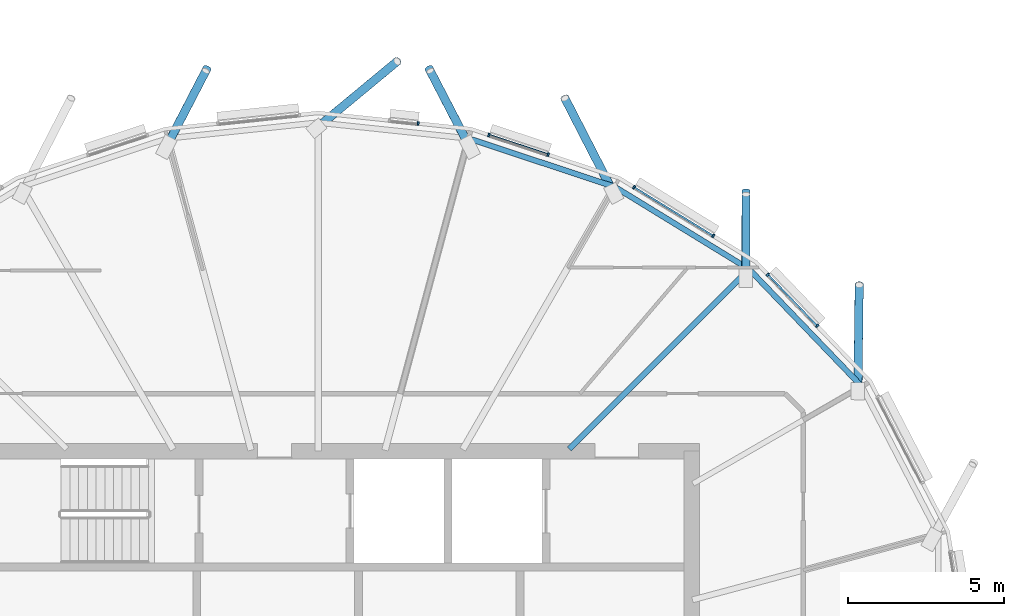
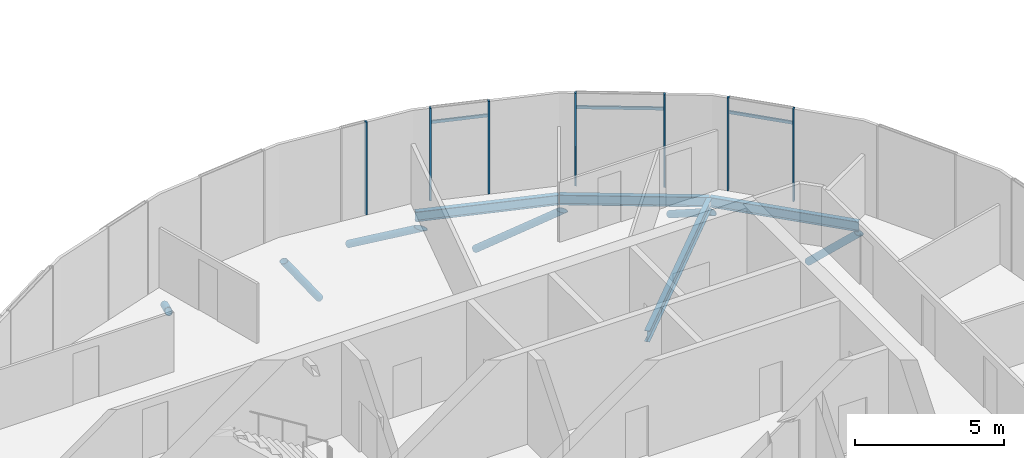
# One storey, part 8 of 38: 16 members, 4 beams, 1 element without a shape of its own.
"""IFC4 building model written with IfcOpenShell, lengths in metres."""

import ifcopenshell
import ifcopenshell.guid

model = None  # the IFC model being written
_history = None  # IfcOwnerHistory: only IFC2X3 demands one
_inside = {}  # id of a spatial element -> (the spatial element, [elements in it])
_under = {}  # id of a project, library or spatial element -> (it, [spatial elements below it])
_declared = {}  # id of a project -> (the project, [libraries it declares])
_typed = {}  # id of a type object -> (the type object, [elements of that type])
_made_of = {}  # id of a material, layer set ... -> (it, [elements and type objects made of it])


def new_model(schema):
    """Start an empty IFC model of exactly this schema.

    Asked for "IFC4X3", IfcOpenShell would pick the latest addendum, in which some entities
    have other attributes; the version numbers below select the first issue.
    IFC2X3 requires an IfcOwnerHistory on every rooted entity: one is made here for all.
    """
    global model, _history
    if schema == "IFC4X3":
        model = ifcopenshell.file(schema_version=(4, 3, 0, 0))
    else:
        model = ifcopenshell.file(schema=schema)
    _inside.clear()
    _under.clear()
    _declared.clear()
    _typed.clear()
    _made_of.clear()
    _history = None
    if model.schema == "IFC2X3":
        org = make("IfcOrganization", Name="unknown")
        user = make(
            "IfcPersonAndOrganization",
            ThePerson=make("IfcPerson", FamilyName="unknown"),
            TheOrganization=org,
        )
        app = make(
            "IfcApplication",
            ApplicationDeveloper=org,
            Version="unknown",
            ApplicationFullName="unknown",
            ApplicationIdentifier="unknown",
        )
        _history = make(
            "IfcOwnerHistory",
            OwningUser=user,
            OwningApplication=app,
            ChangeAction="ADDED",
            CreationDate=0,
        )
    return model


def make(cls, **values):
    """One entity of the class cls with the attributes given. An attribute that is None is left unset."""
    return model.create_entity(
        cls, **{name: value for name, value in values.items() if value is not None}
    )


def rooted(cls, **values):
    """An entity with a GlobalId (a new one), such as an element, a storey or a relation."""
    return make(cls, GlobalId=ifcopenshell.guid.new(), OwnerHistory=_history, **values)


def si_unit(unit_type, name, prefix=None):
    """IfcSIUnit, for example si_unit("LENGTHUNIT", "METRE", prefix="MILLI")."""
    return make("IfcSIUnit", UnitType=unit_type, Prefix=prefix, Name=name)


def assignment(units):
    """IfcUnitAssignment: the units of a project."""
    return None if units is None else make("IfcUnitAssignment", Units=units)


def point(xyz):
    """IfcCartesianPoint."""
    return None if xyz is None else make("IfcCartesianPoint", Coordinates=xyz)


def direction(xyz):
    """IfcDirection."""
    return None if xyz is None else make("IfcDirection", DirectionRatios=xyz)


def frame(location, z_axis=None, x_axis=None):
    """IfcAxis2Placement3D, a coordinate frame: its origin and axes. An axis left out is left unset."""
    return make(
        "IfcAxis2Placement3D",
        Location=point(location),
        Axis=direction(z_axis),
        RefDirection=direction(x_axis),
    )


def frame_2d(location, x_axis=None):
    """IfcAxis2Placement2D, a coordinate frame in the plane: its origin and x axis."""
    return make(
        "IfcAxis2Placement2D", Location=point(location), RefDirection=direction(x_axis)
    )


def origin():
    """The frame at (0, 0, 0) with its axes left unset."""
    return frame((0.0, 0.0, 0.0))


def origin_2d():
    """The frame at (0, 0) in the plane with its x axis left unset."""
    return frame_2d((0.0, 0.0))


def place(relative_to, where):
    """IfcLocalPlacement: puts the frame where relative to a parent placement (None: the world)."""
    return make(
        "IfcLocalPlacement", PlacementRelTo=relative_to, RelativePlacement=where
    )


def context(
    kind, dimensions, precision=None, world=None, true_north=None, identifier=None
):
    """IfcGeometricRepresentationContext, for example the 3D "Model" context."""
    return make(
        "IfcGeometricRepresentationContext",
        ContextIdentifier=identifier,
        ContextType=kind,
        CoordinateSpaceDimension=dimensions,
        Precision=precision,
        WorldCoordinateSystem=world,
        TrueNorth=true_north,
    )


def subcontext(parent, identifier, kind, view, scale=None):
    """IfcGeometricRepresentationSubContext, for example "Body" below "Model"."""
    return make(
        "IfcGeometricRepresentationSubContext",
        ContextIdentifier=identifier,
        ContextType=kind,
        ParentContext=parent,
        TargetScale=scale,
        TargetView=view,
    )


def project(units=None, contexts=None):
    """IfcProject with its units and contexts."""
    return rooted(
        "IfcProject",
        Name="project",
        RepresentationContexts=contexts,
        UnitsInContext=assignment(units),
    )


def spatial(cls, under=None, at=None, **own):
    """A site, building, storey or space (cls), placed at a placement, below another one or the project."""
    s = rooted(cls, ObjectPlacement=at, **own)
    if under is not None:
        _under.setdefault(under.id(), (under, []))[1].append(s)
    return s


def profile(cls, at=None, kind="AREA", **sizes):
    """A parametric profile (cls). Its sizes go by their IFC names, for example OverallWidth=200.0."""
    return make(cls, ProfileType=kind, Position=at, **sizes)


def rectangle(**sizes):
    """IfcRectangleProfileDef."""
    return profile("IfcRectangleProfileDef", **sizes)


def hollow_circle(**sizes):
    """IfcCircleHollowProfileDef."""
    return profile("IfcCircleHollowProfileDef", **sizes)


def i_section(**sizes):
    """IfcIShapeProfileDef."""
    return profile("IfcIShapeProfileDef", **sizes)


def extrude(swept, where, along, depth):
    """IfcExtrudedAreaSolid: the profile swept, set in the frame where, extruded along a direction by depth."""
    return make(
        "IfcExtrudedAreaSolid",
        SweptArea=swept,
        Position=where,
        ExtrudedDirection=direction(along),
        Depth=depth,
    )


def clip(a, b, op="DIFFERENCE"):
    """IfcBooleanClippingResult: the solid a cut by the half space b."""
    return make(
        "IfcBooleanClippingResult", Operator=op, FirstOperand=a, SecondOperand=b
    )


def halfspace(plane, agree):
    """IfcHalfSpaceSolid: all space on one side of the plane z = 0 of the frame plane."""
    return make(
        "IfcHalfSpaceSolid",
        BaseSurface=make("IfcPlane", Position=plane),
        AgreementFlag=agree,
    )


def shape(context_of_items, identifier, shape_type, items):
    """IfcShapeRepresentation: the items that make up one representation, for example the "Body"."""
    return make(
        "IfcShapeRepresentation",
        ContextOfItems=context_of_items,
        RepresentationIdentifier=identifier,
        RepresentationType=shape_type,
        Items=items,
    )


def material(Name=None, Category=None):
    """IfcMaterial."""
    return make("IfcMaterial", Name=Name, Category=Category)


def material_profile(
    of_material, cross_section, Name=None, Category=None, Priority=None
):
    """IfcMaterialProfile: a cross section and its material."""
    return make(
        "IfcMaterialProfile",
        Name=Name,
        Material=of_material,
        Profile=cross_section,
        Priority=Priority,
        Category=Category,
    )


def profile_set(profiles, Name=None, composite=None):
    """IfcMaterialProfileSet."""
    return make(
        "IfcMaterialProfileSet",
        Name=Name,
        MaterialProfiles=profiles,
        CompositeProfile=composite,
    )


def made_of(thing, what):
    """Note that an element or type object is made of a material, layer set ...; save() writes the relation."""
    if what is not None:
        _made_of.setdefault(what.id(), (what, []))[1].append(thing)
    return thing


def type_object(cls, material=None, **own):
    """A type object (cls), such as IfcWallType, which elements share."""
    return made_of(rooted(cls, **own), material)


def element(
    cls,
    number,
    at=None,
    inside=None,
    cuts=None,
    type_object=None,
    material=None,
    context=None,
    identifier="Body",
    shape_type=None,
    held_by="IfcProductDefinitionShape",
    body=None,
    shapes=None,
    **own,
):
    """One element of the class cls, such as IfcWall. Its Tag is "e" and its number.

    at: its placement. inside: the storey or other place that contains it. cuts: it is an
    opening in that element (IfcRelVoidsElement). A single representation is given by context,
    identifier, shape_type and body (its items); several are given by shapes. held_by: the class
    of the entity that holds the representations. save() writes the other relations.
    """
    e = rooted(cls, Tag="e%d" % number, ObjectPlacement=at, **own)
    if body is not None:
        shapes = [shape(context, identifier, shape_type, body)]
    if shapes is not None:
        e.Representation = make(held_by, Representations=shapes)
    if inside is not None:
        _inside.setdefault(inside.id(), (inside, []))[1].append(e)
    if cuts is not None:
        rooted(
            "IfcRelVoidsElement", RelatingBuildingElement=cuts, RelatedOpeningElement=e
        )
    if type_object is not None:
        _typed.setdefault(type_object.id(), (type_object, []))[1].append(e)
    return made_of(e, material)


def aggregate(whole, parts):
    """IfcRelAggregates: a whole, such as a stair, and the parts it consists of."""
    return rooted("IfcRelAggregates", RelatingObject=whole, RelatedObjects=parts)


def save(model, path):
    """Write the relations noted so far, then the file.

    IfcRelAggregates (storeys below a building ...), IfcRelContainedInSpatialStructure (elements
    in a storey), IfcRelDefinesByType, IfcRelAssociatesMaterial and IfcRelDeclares: one each for
    every whole, place, type object, material and project.
    """
    for whole, parts in _under.values():
        aggregate(whole, parts)
    for where, things in _inside.values():
        rooted(
            "IfcRelContainedInSpatialStructure",
            RelatedElements=things,
            RelatingStructure=where,
        )
    for kind, things in _typed.values():
        rooted("IfcRelDefinesByType", RelatedObjects=things, RelatingType=kind)
    for what, things in _made_of.values():
        rooted("IfcRelAssociatesMaterial", RelatedObjects=things, RelatingMaterial=what)
    for by, libraries in _declared.values():
        rooted("IfcRelDeclares", RelatingContext=by, RelatedDefinitions=libraries)
    model.write(path)


model = new_model("IFC4")

# Units and contexts
model_context = context("Model", 3, precision=1e-05, world=origin(), true_north=direction((0.0, 1.0)))
body_context = subcontext(model_context, "Body", "Model", "MODEL_VIEW")
ifc_project = project(units=[si_unit("LENGTHUNIT", "METRE"), si_unit("AREAUNIT", "SQUARE_METRE"), si_unit("VOLUMEUNIT", "CUBIC_METRE"), si_unit("PLANEANGLEUNIT", "RADIAN"), si_unit("MASSUNIT", "GRAM", prefix="KILO")], contexts=[model_context])

# Site, building, storey
site_placement = place(None, origin())
site = spatial("IfcSite", under=ifc_project, at=site_placement, CompositionType="ELEMENT")
building_placement = place(site_placement, origin())
building = spatial("IfcBuilding", under=site, at=building_placement, Name="Rimbun Link Towers", CompositionType="ELEMENT")
storey_placement = place(building_placement, frame((0.0, 0.0, 218.10009765625)))
storey = spatial("IfcBuildingStorey", under=building, at=storey_placement, Name="L53", CompositionType="ELEMENT", Elevation=218.10009765625)

# Curtain wall, members
ifc_material_1 = material(Name="Aluminium 6063-T6 and low-iron glass", Category="aluminium")
curtain_wall_type = type_object("IfcCurtainWallType", Name="CW1-Z4 unitised vision wall (zone 4)", PredefinedType="NOTDEFINED", material=ifc_material_1)
curtain_wall_placement = place(storey_placement, origin())
curtain_wall = element("IfcCurtainWall", 1, at=curtain_wall_placement, inside=storey, type_object=curtain_wall_type, Name="CW1 L53 T1", PredefinedType="NOTDEFINED")
ifc_material_2 = material(Name="Aluminium 6063-T6", Category="aluminium")
ifc_material_profile_1 = material_profile(ifc_material_2, rectangle(XDim=0.1201171875, YDim=0.06005859375, at=origin_2d()), Name="MULLION 60X120")
ifc_profile_set_1 = profile_set([ifc_material_profile_1], Name="Aluminium 6063-T6")
member_type_1 = type_object("IfcMemberType", Name="CW1 mullion 60X120", PredefinedType="MULLION", material=ifc_profile_set_1)
member_1_placement = place(storey_placement, frame((-17.299560546875, 13.6708984375, 0.0), z_axis=(0.0, 0.0, 1.0), x_axis=(0.721846446019, 0.692053255443, 0.0)))
member_1 = element("IfcMember", 2, at=member_1_placement, type_object=member_type_1, Name="CW1 mullion", PredefinedType="MULLION", context=body_context, shape_type="SweptSolid", body=[
    extrude(rectangle(XDim=0.1201171875, YDim=0.06005859375, at=origin_2d()), origin(), (0.0, 0.0, 1.0), 3.7998046875),
])
member_2_placement = place(storey_placement, frame((-15.71728515625, 12.0205078125, 0.0), z_axis=(0.0, 0.0, 1.0), x_axis=(0.721846446019, 0.692053255443, 0.0)))
member_2 = element("IfcMember", 3, at=member_2_placement, type_object=member_type_1, Name="CW1 mullion", PredefinedType="MULLION", context=body_context, shape_type="SweptSolid", body=[
    extrude(rectangle(XDim=0.1201171875, YDim=0.06005859375, at=origin_2d()), origin(), (0.0, 0.0, 1.0), 3.7998046875),
])
member_3_placement = place(storey_placement, frame((-21.60009765625, 16.47705078125, 0.0), z_axis=(0.0, 0.0, 1.0), x_axis=(0.523242195727, 0.852184020392, 0.0)))
member_3 = element("IfcMember", 4, at=member_3_placement, type_object=member_type_1, Name="CW1 mullion", PredefinedType="MULLION", context=body_context, shape_type="SweptSolid", body=[
    extrude(rectangle(XDim=0.1201171875, YDim=0.06005859375, at=origin_2d()), origin(), (0.0, 0.0, 1.0), 3.7998046875),
])
member_4_placement = place(storey_placement, frame((-19.0556640625, 14.914794921875, 0.0), z_axis=(0.0, 0.0, 1.0), x_axis=(0.523242195727, 0.852184020392, 0.0)))
member_4 = element("IfcMember", 5, at=member_4_placement, type_object=member_type_1, Name="CW1 mullion", PredefinedType="MULLION", context=body_context, shape_type="SweptSolid", body=[
    extrude(rectangle(XDim=0.1201171875, YDim=0.06005859375, at=origin_2d()), origin(), (0.0, 0.0, 1.0), 3.7998046875),
])
member_5_placement = place(storey_placement, frame((-26.261474609375, 18.156005859375, 0.0), z_axis=(0.0, 0.0, 1.0), x_axis=(0.314578449635, 0.949231478105, 0.0)))
member_5 = element("IfcMember", 6, at=member_5_placement, type_object=member_type_1, Name="CW1 mullion", PredefinedType="MULLION", context=body_context, shape_type="SweptSolid", body=[
    extrude(rectangle(XDim=0.1201171875, YDim=0.06005859375, at=origin_2d()), origin(), (0.0, 0.0, 1.0), 3.7998046875),
])
member_6_placement = place(storey_placement, frame((-24.359619140625, 17.525634765625, 0.0), z_axis=(0.0, 0.0, 1.0), x_axis=(0.314578449635, 0.949231478105, 0.0)))
member_6 = element("IfcMember", 7, at=member_6_placement, type_object=member_type_1, Name="CW1 mullion", PredefinedType="MULLION", context=body_context, shape_type="SweptSolid", body=[
    extrude(rectangle(XDim=0.1201171875, YDim=0.06005859375, at=origin_2d()), origin(), (0.0, 0.0, 1.0), 3.7998046875),
])
member_7_placement = place(storey_placement, frame((-28.5341796875, 18.525390625, 0.0), z_axis=(0.0, 0.0, 1.0), x_axis=(0.104722816932, 0.994501448774, 0.0)))
member_7 = element("IfcMember", 8, at=member_7_placement, type_object=member_type_1, Name="CW1 mullion", PredefinedType="MULLION", context=body_context, shape_type="SweptSolid", body=[
    extrude(rectangle(XDim=0.1201171875, YDim=0.06005859375, at=origin_2d()), origin(), (0.0, 0.0, 1.0), 3.7998046875),
])
ifc_material_3 = material(Name="Aluminium 6063-T6", Category="aluminium")
ifc_material_profile_2 = material_profile(ifc_material_3, rectangle(XDim=0.06005859375, YDim=0.1201171875, at=origin_2d()), Name="TRANSOM 60X120")
ifc_profile_set_2 = profile_set([ifc_material_profile_2], Name="Aluminium 6063-T6")
member_type_2 = type_object("IfcMemberType", Name="CW1 transom 60X120", PredefinedType="USERDEFINED", material=ifc_profile_set_2)
member_8_placement = place(storey_placement, frame((-17.2802734375, 13.64794921875, 3.199951171875), z_axis=(0.692036343125, -0.721862659925, 0.0), x_axis=(0.721862659925, 0.692036343125, 0.0)))
member_8 = element("IfcMember", 9, at=member_8_placement, type_object=member_type_2, Name="CW1 transom", ObjectType="TRANSOM", PredefinedType="USERDEFINED", context=body_context, shape_type="SweptSolid", body=[
    extrude(rectangle(XDim=0.06005859375, YDim=0.1201171875, at=origin_2d()), origin(), (0.0, 0.0, 1.0), 2.226318359375),
])
member_9_placement = place(storey_placement, frame((-21.57568359375, 16.459716796875, 3.199951171875), z_axis=(0.852176447693, -0.523254528883, 0.0), x_axis=(0.523254528883, 0.852176447693, 0.0)))
member_9 = element("IfcMember", 10, at=member_9_placement, type_object=member_type_2, Name="CW1 transom", ObjectType="TRANSOM", PredefinedType="USERDEFINED", context=body_context, shape_type="SweptSolid", body=[
    extrude(rectangle(XDim=0.06005859375, YDim=0.1201171875, at=origin_2d()), origin(), (0.0, 0.0, 1.0), 2.926025390625),
])
member_10_placement = place(storey_placement, frame((-26.233642578125, 18.14453125, 3.199951171875), z_axis=(0.949247034783, -0.314531503916, 0.0), x_axis=(0.314531503916, 0.949247034783, 0.0)))
member_10 = element("IfcMember", 11, at=member_10_placement, type_object=member_type_2, Name="CW1 transom", ObjectType="TRANSOM", PredefinedType="USERDEFINED", context=body_context, shape_type="SweptSolid", body=[
    extrude(rectangle(XDim=0.06005859375, YDim=0.1201171875, at=origin_2d()), origin(), (0.0, 0.0, 1.0), 1.943603515625),
])
aggregate(curtain_wall, [member_1, member_2, member_3, member_4, member_5, member_6, member_7, member_8, member_9, member_10])

# Members
ifc_material_4 = material(Name="Steel S355J2H", Category="steel")
ifc_material_profile_3 = material_profile(ifc_material_4, hollow_circle(Radius=0.136474609375, WallThickness=0.012451171875, at=origin_2d()), Name="CHS 273x12.5")
ifc_profile_set_3 = profile_set([ifc_material_profile_3], Name="Steel S355J2H")
member_type_3 = type_object("IfcMemberType", Name="Floor edge link CHS 273x12.5", PredefinedType="BRACE", material=ifc_profile_set_3)
member_11_placement = place(storey_placement, frame((-14.40966796875, 10.011474609375, -0.5947265625), z_axis=(0.009020005367, 0.725792078943, -0.687854997545), x_axis=(-0.999922783726, 0.012426849421, 0.0)))
element("IfcMember", 12, at=member_11_placement, inside=storey, type_object=member_type_3, Name="Floor edge link T1 L53 02", PredefinedType="BRACE", context=body_context, shape_type="Clipping", body=[
    clip(extrude(hollow_circle(Radius=0.136474609375, WallThickness=0.012451171875, at=origin_2d()), frame((0.0, 0.0, -0.302490234375)), (0.0, 0.0, 1.0), 4.90380859375), halfspace(frame((0.0, 0.0, -0.141845703125), z_axis=(0.0, 0.725848126231, -0.687854997545)), False)),
])
member_12_placement = place(storey_placement, frame((-18.004638671875, 13.745361328125, -0.70849609375), z_axis=(0.000394961689, 0.843085222112, -0.537779836235), x_axis=(-0.999999890267, 0.000468471793, 0.0)))
element("IfcMember", 13, at=member_12_placement, inside=storey, type_object=member_type_3, Name="Floor edge link T1 L53 03", PredefinedType="BRACE", context=body_context, shape_type="Clipping", body=[
    clip(extrude(hollow_circle(Radius=0.136474609375, WallThickness=0.012451171875, at=origin_2d()), frame((0.0, 0.0, -0.446533203125)), (0.0, 0.0, 1.0), 3.537353515625), halfspace(frame((0.0, 0.0, -0.210205078125), z_axis=(0.0, 0.843085314626, -0.537779836235)), False)),
])
member_13_placement = place(storey_placement, frame((-22.298095703125, 16.37109375, -0.7783203125), z_axis=(-0.350539374697, 0.682437802129, -0.641405326617), x_axis=(-0.889514924711, -0.456906115867, 0.0)))
element("IfcMember", 14, at=member_13_placement, inside=storey, type_object=member_type_3, Name="Floor edge link T1 L53 04", PredefinedType="BRACE", context=body_context, shape_type="Clipping", body=[
    clip(extrude(hollow_circle(Radius=0.136474609375, WallThickness=0.012451171875, at=origin_2d()), frame((0.0, 0.0, -0.342041015625)), (0.0, 0.0, 1.0), 4.703369140625), halfspace(frame((0.0, 0.0, -0.160888671875), z_axis=(0.0, 0.767202194332, -0.641405326617)), False)),
])
member_14_placement = place(storey_placement, frame((-26.95166015625, 17.907958984375, -0.7900390625), z_axis=(-0.393517633482, 0.759751791096, -0.51761094276), x_axis=(-0.88795873569, -0.459923128045, 0.0)))
element("IfcMember", 15, at=member_14_placement, inside=storey, type_object=member_type_3, Name="Floor edge link T1 L53 05", PredefinedType="BRACE", context=body_context, shape_type="Clipping", body=[
    clip(extrude(hollow_circle(Radius=0.136474609375, WallThickness=0.012451171875, at=origin_2d()), frame((0.0, 0.0, -0.470703125)), (0.0, 0.0, 1.0), 3.620361328125), halfspace(frame((0.0, 0.0, -0.221923828125), z_axis=(0.0, 0.855616100792, -0.51761094276)), False)),
])
member_15_placement = place(storey_placement, frame((-31.75, 18.412353515625, -0.765869140625), z_axis=(0.518586586905, 0.429575456317, -0.739278620827), x_axis=(-0.637920499484, 0.770102224603, 0.0)))
element("IfcMember", 16, at=member_15_placement, inside=storey, type_object=member_type_3, Name="Floor edge link T1 L53 06", PredefinedType="BRACE", context=body_context, shape_type="Clipping", body=[
    clip(extrude(hollow_circle(Radius=0.136474609375, WallThickness=0.012451171875, at=origin_2d()), frame((0.0, 0.0, -0.26220703125)), (0.0, 0.0, 1.0), 5.182861328125), halfspace(frame((0.0, 0.0, -0.12255859375), z_axis=(0.0, 0.673399673885, -0.739278620827)), False)),
])
member_16_placement = place(storey_placement, frame((-36.54833984375, 17.907958984375, -0.7900390625), z_axis=(0.393517633482, 0.759751791096, -0.51761094276), x_axis=(-0.88795873569, 0.459923128045, 0.0)))
element("IfcMember", 17, at=member_16_placement, inside=storey, type_object=member_type_3, Name="Floor edge link T1 L53 07", PredefinedType="BRACE", context=body_context, shape_type="Clipping", body=[
    clip(extrude(hollow_circle(Radius=0.136474609375, WallThickness=0.012451171875, at=origin_2d()), frame((0.0, 0.0, -0.470703125)), (0.0, 0.0, 1.0), 3.620361328125), halfspace(frame((0.0, 0.0, -0.221923828125), z_axis=(0.0, 0.855616100792, -0.51761094276)), False)),
])

# Beams
ifc_material_5 = material(Name="Steel S355J2", Category="steel")
ifc_material_profile_4 = material_profile(ifc_material_5, i_section(OverallWidth=0.177978515625, OverallDepth=0.406494140625, WebThickness=0.0078125, FlangeThickness=0.0126953125, at=origin_2d()), Name="UB 406x178x60")
ifc_profile_set_4 = profile_set([ifc_material_profile_4], Name="Steel S355J2")
beam_type_1 = type_object("IfcBeamType", Name="UB 406x178x60", PredefinedType="BEAM", material=ifc_profile_set_4)
beam_1_placement = place(storey_placement, frame((-14.297607421875, 10.091796875, -0.34326171875), z_axis=(-0.69303073453, 0.720908039209, 0.0), x_axis=(-0.720908039209, -0.69303073453, 0.0)))
element("IfcBeam", 18, at=beam_1_placement, inside=storey, type_object=beam_type_1, Name="Edge beam T1 L53 02", PredefinedType="BEAM", context=body_context, shape_type="SweptSolid", body=[
    extrude(i_section(OverallWidth=0.177978515625, OverallDepth=0.406494140625, WebThickness=0.0078125, FlangeThickness=0.0126953125, at=origin_2d()), origin(), (0.0, 0.0, 1.0), 5.193359375),
])
beam_2_placement = place(storey_placement, frame((-17.916015625, 13.85107421875, -0.34326171875), z_axis=(-0.852713194974, 0.522379370876, 0.0), x_axis=(-0.522379370876, -0.852713194974, 0.0)))
element("IfcBeam", 19, at=beam_2_placement, inside=storey, type_object=beam_type_1, Name="Edge beam T1 L53 03", PredefinedType="BEAM", context=body_context, shape_type="SweptSolid", body=[
    extrude(i_section(OverallWidth=0.177978515625, OverallDepth=0.406494140625, WebThickness=0.0078125, FlangeThickness=0.0126953125, at=origin_2d()), origin(), (0.0, 0.0, 1.0), 5.045654296875),
])
beam_3_placement = place(storey_placement, frame((-22.23876953125, 16.49609375, -0.34326171875), z_axis=(-0.94940105913, 0.314066281097, 0.0), x_axis=(-0.314066281097, -0.94940105913, 0.0)))
element("IfcBeam", 20, at=beam_3_placement, inside=storey, type_object=beam_type_1, Name="Edge beam T1 L53 04", PredefinedType="BEAM", context=body_context, shape_type="SweptSolid", body=[
    extrude(i_section(OverallWidth=0.177978515625, OverallDepth=0.406494140625, WebThickness=0.0078125, FlangeThickness=0.0126953125, at=origin_2d()), origin(), (0.0, 0.0, 1.0), 4.915283203125),
])
ifc_material_6 = material(Name="Steel S355J2", Category="steel")
ifc_material_profile_5 = material_profile(ifc_material_6, i_section(OverallWidth=0.18994140625, OverallDepth=0.453369140625, WebThickness=0.008544921875, FlangeThickness=0.0126953125, at=origin_2d()), Name="UB 457x191x67")
ifc_profile_set_5 = profile_set([ifc_material_profile_5], Name="Steel S355J2")
beam_type_2 = type_object("IfcBeamType", Name="UB 457x191x67", PredefinedType="BEAM", material=ifc_profile_set_5)
beam_4_placement = place(storey_placement, frame((-23.68212890625, 8.06787109375, -0.36669921875), z_axis=(0.707106781187, 0.707106781187, 0.0), x_axis=(-0.707106781187, 0.707106781187, 0.0)))
element("IfcBeam", 21, at=beam_4_placement, inside=storey, type_object=beam_type_2, Name="Radial beam T1 L53 03", PredefinedType="BEAM", context=body_context, shape_type="SweptSolid", body=[
    extrude(i_section(OverallWidth=0.18994140625, OverallDepth=0.453369140625, WebThickness=0.008544921875, FlangeThickness=0.0126953125, at=origin_2d()), origin(), (0.0, 0.0, 1.0), 8.079345703125),
])

save(model, "model.ifc")
